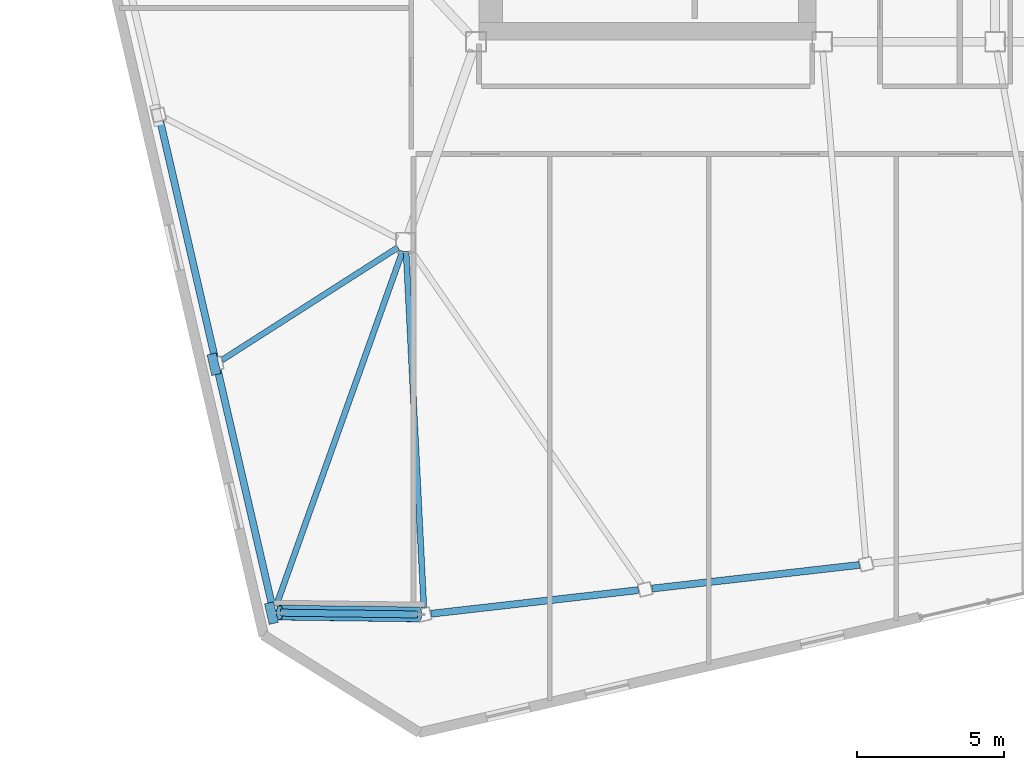
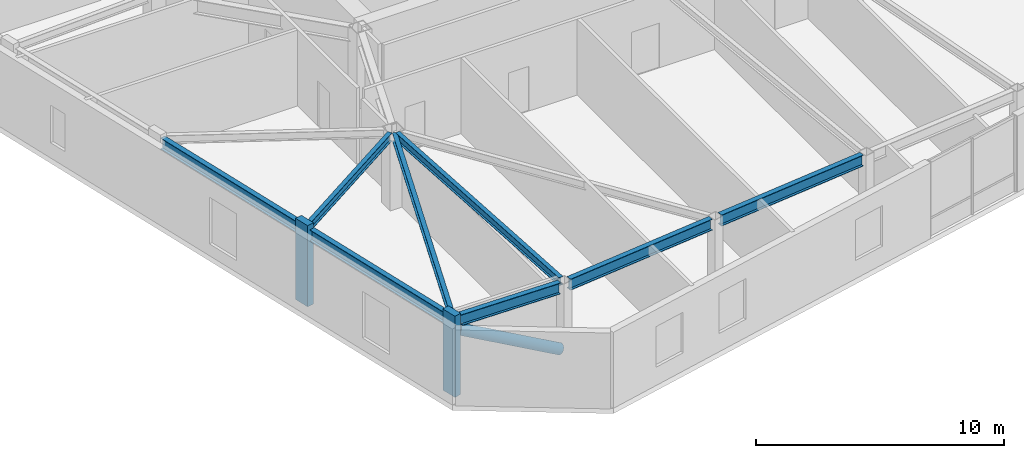
# One storey, part 4 of 23: 8 beams, 3 members.
"""IFC4 building model written with IfcOpenShell, lengths in metres."""

from ifc_helpers import new_model, si_unit, direction, frame, origin, origin_2d, place, context, subcontext, project, spatial, rectangle, hollow_circle, i_section, extrude, material, material_profile, profile_set, type_object, element, save


model = new_model("IFC4")

# Units and contexts
model_context = context("Model", 3, precision=1e-05, world=origin(), true_north=direction((0.0, 1.0)))
body_context = subcontext(model_context, "Body", "Model", "MODEL_VIEW")
ifc_project = project(units=[si_unit("LENGTHUNIT", "METRE"), si_unit("AREAUNIT", "SQUARE_METRE"), si_unit("VOLUMEUNIT", "CUBIC_METRE"), si_unit("PLANEANGLEUNIT", "RADIAN"), si_unit("MASSUNIT", "GRAM", prefix="KILO")], contexts=[model_context])

# Site, building, storey
site_placement = place(None, origin())
site = spatial("IfcSite", under=ifc_project, at=site_placement, CompositionType="ELEMENT")
building_placement = place(site_placement, origin())
building = spatial("IfcBuilding", under=site, at=building_placement, Name="Tavrogorsk Clinical Tower", CompositionType="ELEMENT")
storey_placement = place(building_placement, frame((0.0, 0.0, 297.0)))
storey = spatial("IfcBuildingStorey", under=building, at=storey_placement, Name="L69", CompositionType="ELEMENT", Elevation=297.0)

# Member
ifc_material_1 = material(Name="Structural steel S440", Category="steel")
ifc_material_profile_1 = material_profile(ifc_material_1, hollow_circle(Radius=0.25390625, WallThickness=0.02001953125, at=origin_2d()), Name="CHS-508x20")
ifc_profile_set_1 = profile_set([ifc_material_profile_1], Name="Structural steel S440")
member_type_1 = type_object("IfcMemberType", Name="ExoBrace_CHS508", PredefinedType="BRACE", material=ifc_profile_set_1)
member_placement = place(storey_placement, frame((-24.07080078125, -25.883056640625, 0.412841796875), z_axis=(-0.874894907887, 0.011394569062, 0.484178752062), x_axis=(-0.013022824449, -0.999915199426, 0.0)))
element("IfcMember", 1, at=member_placement, inside=storey, type_object=member_type_1, Name="L69 Corner Exoskeleton Brace W5-S1", PredefinedType="BRACE", context=body_context, shape_type="SweptSolid", body=[
    extrude(hollow_circle(Radius=0.25390625, WallThickness=0.02001953125, at=origin_2d()), origin(), (0.0, 0.0, 1.0), 5.3994140625),
])

# Beams
ifc_material_2 = material(Name="Structural steel S355", Category="steel")
ifc_material_profile_2 = material_profile(ifc_material_2, i_section(OverallWidth=0.199951171875, OverallDepth=0.39990234375, WebThickness=0.010498046875, FlangeThickness=0.01611328125, at=origin_2d()), Name="B-400x200x10.5x16")
ifc_profile_set_2 = profile_set([ifc_material_profile_2], Name="Structural steel S355")
beam_type_1 = type_object("IfcBeamType", Name="FloorBeam_B400", PredefinedType="BEAM", material=ifc_profile_set_2)
beam_1_placement = place(storey_placement, frame((-24.484619140625, -13.509521484375, 3.5400390625), z_axis=(0.049857498916, -0.998756341558, 0.0), x_axis=(0.998756341558, 0.049857498916, 0.0)))
element("IfcBeam", 2, at=beam_1_placement, inside=storey, type_object=beam_type_1, Name="L69 Radial Floor Beam S1", PredefinedType="BEAM", context=body_context, shape_type="SweptSolid", body=[
    extrude(i_section(OverallWidth=0.199951171875, OverallDepth=0.39990234375, WebThickness=0.010498046875, FlangeThickness=0.01611328125, at=origin_2d()), origin(), (0.0, 0.0, 1.0), 12.15869140625),
])
beam_2_placement = place(storey_placement, frame((-24.76123046875, -13.3671875, 3.5400390625), z_axis=(-0.842332392078, -0.538958385459, 0.0), x_axis=(0.538958385459, -0.842332392078, 0.0)))
element("IfcBeam", 3, at=beam_2_placement, inside=storey, type_object=beam_type_1, Name="L69 Radial Floor Beam W4", PredefinedType="BEAM", context=body_context, shape_type="SweptSolid", body=[
    extrude(i_section(OverallWidth=0.199951171875, OverallDepth=0.39990234375, WebThickness=0.010498046875, FlangeThickness=0.01611328125, at=origin_2d()), origin(), (0.0, 0.0, 1.0), 7.123779296875),
])
beam_3_placement = place(storey_placement, frame((-24.60400390625, -13.491943359375, 3.5400390625), z_axis=(-0.335800921645, -0.941932981173, 0.0), x_axis=(0.941932981173, -0.335800921645, 0.0)))
element("IfcBeam", 4, at=beam_3_placement, inside=storey, type_object=beam_type_1, Name="L69 Radial Floor Beam W5", PredefinedType="BEAM", context=body_context, shape_type="SweptSolid", body=[
    extrude(i_section(OverallWidth=0.199951171875, OverallDepth=0.39990234375, WebThickness=0.010498046875, FlangeThickness=0.01611328125, at=origin_2d()), origin(), (0.0, 0.0, 1.0), 12.85400390625),
])

# Members
ifc_material_3 = material(Name="Precast concrete B45 with limestone cladding", Category="masonry")
ifc_material_profile_3 = material_profile(ifc_material_3, rectangle(XDim=0.320068359375, YDim=0.719970703125, at=origin_2d()), Name="LIMESTONE-FIN-320x720")
ifc_profile_set_3 = profile_set([ifc_material_profile_3], Name="Precast concrete B45 with limestone cladding")
member_type_2 = type_object("IfcMemberType", Name="LimestonePleatFin_320x720", PredefinedType="USERDEFINED", material=ifc_profile_set_3)
for number, where, z_axis, x_axis, name in (
    (5, (-31.035888671875, -17.35009765625, 0.0), (0.0, 0.0, 1.0), (0.974370064785, 0.224951054344, 0.0), "L69 W Pleated Stone Fin 3"),
    (6, (-29.07666015625, -25.8369140625, 0.0), (0.0, 0.0, 1.0), (0.974370064785, 0.224951054344, 0.0), "L69 W Pleated Stone Fin 4"),
):
    element("IfcMember", number, at=place(storey_placement, frame(where, z_axis=z_axis, x_axis=x_axis)), inside=storey, type_object=member_type_2, Name=name, ObjectType="FIN", PredefinedType="USERDEFINED", context=body_context, shape_type="SweptSolid", body=[
        extrude(rectangle(XDim=0.320068359375, YDim=0.719970703125, at=origin_2d()), origin(), (0.0, 0.0, 1.0), 4.0),
    ])

# Beams
ifc_material_4 = material(Name="Structural steel S390", Category="steel")
ifc_material_profile_4 = material_profile(ifc_material_4, i_section(OverallWidth=0.239990234375, OverallDepth=0.550048828125, WebThickness=0.013916015625, FlangeThickness=0.02197265625, at=origin_2d()), Name="B-550x240x14x22")
ifc_profile_set_4 = profile_set([ifc_material_profile_4], Name="Structural steel S390")
beam_type_2 = type_object("IfcBeamType", Name="SpandrelBeam_B550", PredefinedType="SPANDREL", material=ifc_profile_set_4)
for number, where, z_axis, x_axis, name in (
    (7, (-23.635498046875, -25.859375, 3.465087890625), (0.993572073137, 0.113201305126, 0.0), (-0.113201305126, 0.993572073137, 0.0), "L69 Perimeter Spandrel S1-S2"),
    (8, (-16.098876953125, -25.000732421875, 3.465087890625), (0.993572073137, 0.113201305126, 0.0), (-0.113201305126, 0.993572073137, 0.0), "L69 Perimeter Spandrel S2-S3"),
):
    element("IfcBeam", number, at=place(storey_placement, frame(where, z_axis=z_axis, x_axis=x_axis)), inside=storey, type_object=beam_type_2, Name=name, PredefinedType="SPANDREL", context=body_context, shape_type="SweptSolid", body=[
        extrude(i_section(OverallWidth=0.239990234375, OverallDepth=0.550048828125, WebThickness=0.013916015625, FlangeThickness=0.02197265625, at=origin_2d()), origin(), (0.0, 0.0, 1.0), 7.119140625),
    ])
beam_4_placement = place(storey_placement, frame((-32.864990234375, -9.072509765625, 3.465087890625), z_axis=(0.224978460613, -0.974363737144, 0.0), x_axis=(0.974363737144, 0.224978460613, 0.0)))
element("IfcBeam", 9, at=beam_4_placement, inside=storey, type_object=beam_type_2, Name="L69 Perimeter Spandrel W3-W4", PredefinedType="SPANDREL", context=body_context, shape_type="SweptSolid", body=[
    extrude(i_section(OverallWidth=0.239990234375, OverallDepth=0.550048828125, WebThickness=0.013916015625, FlangeThickness=0.02197265625, at=origin_2d()), origin(), (0.0, 0.0, 1.0), 8.244140625),
])
beam_5_placement = place(storey_placement, frame((-30.905517578125, -17.559326171875, 3.465087890625), z_axis=(0.224950345141, -0.974370228517, 0.0), x_axis=(0.974370228517, 0.224950345141, 0.0)))
element("IfcBeam", 10, at=beam_5_placement, inside=storey, type_object=beam_type_2, Name="L69 Perimeter Spandrel W4-W5", PredefinedType="SPANDREL", context=body_context, shape_type="SweptSolid", body=[
    extrude(i_section(OverallWidth=0.239990234375, OverallDepth=0.550048828125, WebThickness=0.013916015625, FlangeThickness=0.02197265625, at=origin_2d()), origin(), (0.0, 0.0, 1.0), 8.243896484375),
])
beam_6_placement = place(storey_placement, frame((-28.765625, -25.822021484375, 3.465087890625), z_axis=(0.999915131489, -0.013028039754, 0.0), x_axis=(0.013028039754, 0.999915131489, 0.0)))
element("IfcBeam", 11, at=beam_6_placement, inside=storey, type_object=beam_type_2, Name="L69 Perimeter Spandrel W5-S1", PredefinedType="SPANDREL", context=body_context, shape_type="SweptSolid", body=[
    extrude(i_section(OverallWidth=0.239990234375, OverallDepth=0.550048828125, WebThickness=0.013916015625, FlangeThickness=0.02197265625, at=origin_2d()), origin(), (0.0, 0.0, 1.0), 4.666259765625),
])

save(model, "model.ifc")
